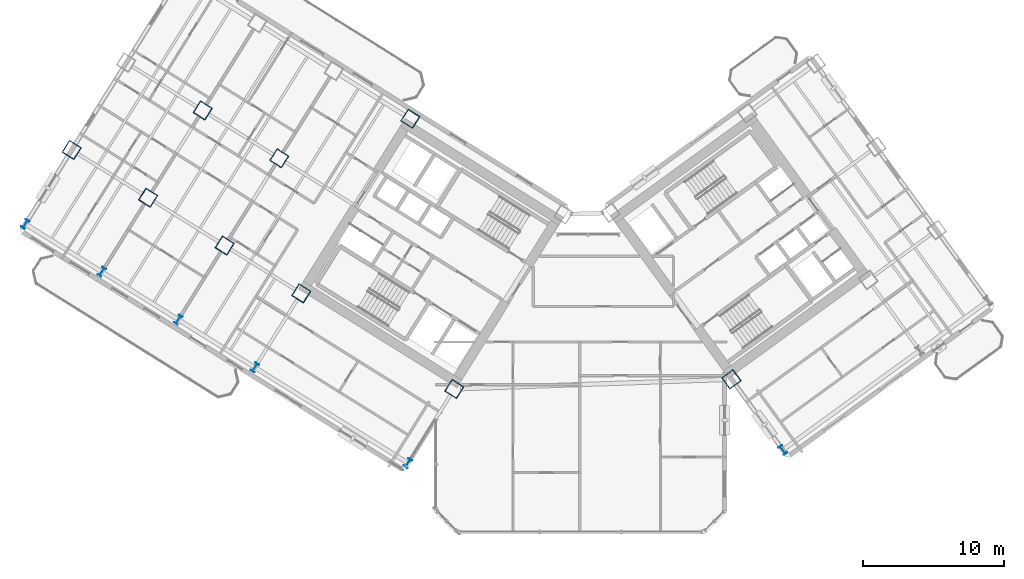
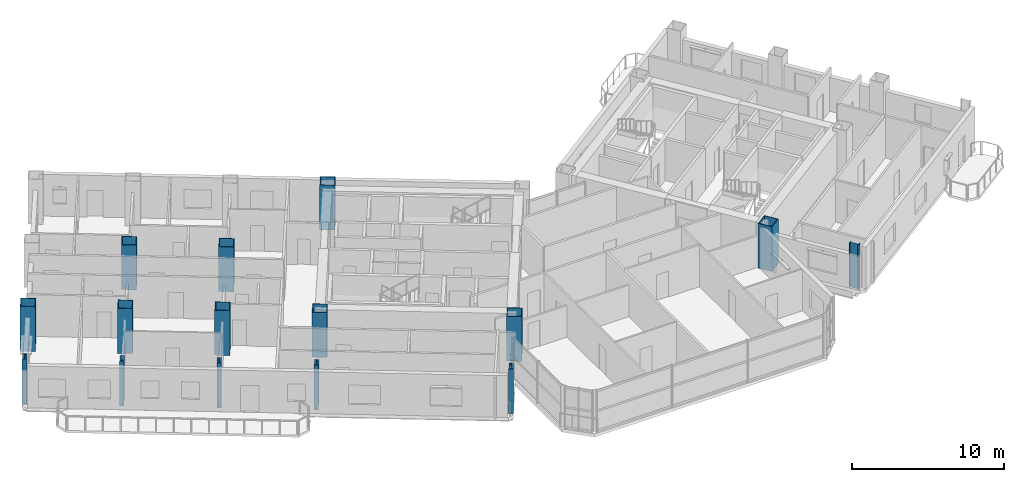
# One storey, part 1 of 25: 15 columns.
"""IFC4 building model written with IfcOpenShell, lengths in metres."""

from ifc_helpers import new_model, si_unit, direction, frame, origin, origin_2d, place, context, subcontext, project, spatial, hollow_rectangle, i_section, extrude, source, transform, mapped, material, material_profile, profile_set, type_object, element, save


model = new_model("IFC4")

# Units and contexts
model_context = context("Model", 3, precision=1e-05, world=origin(), true_north=direction((0.0, 1.0)))
body_context = subcontext(model_context, "Body", "Model", "MODEL_VIEW")
ifc_project = project(units=[si_unit("LENGTHUNIT", "METRE"), si_unit("AREAUNIT", "SQUARE_METRE"), si_unit("VOLUMEUNIT", "CUBIC_METRE"), si_unit("PLANEANGLEUNIT", "RADIAN"), si_unit("MASSUNIT", "GRAM", prefix="KILO")], contexts=[model_context])

# Site, building, storey
site_placement = place(None, origin())
site = spatial("IfcSite", under=ifc_project, at=site_placement, CompositionType="ELEMENT")
building_placement = place(site_placement, origin())
building = spatial("IfcBuilding", under=site, at=building_placement, Name="Tlacorven Tower", CompositionType="ELEMENT")
storey_placement = place(building_placement, frame((0.0, 0.0, 52.800048828125)))
storey = spatial("IfcBuildingStorey", under=building, at=storey_placement, Name="L13", CompositionType="ELEMENT", Elevation=52.800048828125)

# Columns
ifc_material = material(Name="Steel S460M", Category="steel")
ifc_material_profile_1 = material_profile(ifc_material, hollow_rectangle(XDim=1.0, YDim=1.0, WallThickness=0.0400390625, at=origin_2d()), Name="BOX 1000X1000X40")
ifc_profile_set_1 = profile_set([ifc_material_profile_1], Name="Steel S460M")
column_type_1 = type_object("IfcColumnType", Name="COL-TWR-S1", PredefinedType="COLUMN", material=ifc_profile_set_1)
shared_shape_1 = source(origin(), body_context, "Body", "SweptSolid", [
    extrude(hollow_rectangle(XDim=1.0, YDim=1.0, WallThickness=0.0400390625, at=origin_2d()), origin(), (0.0, 0.0, 1.0), 3.599853515625),
])
for number, where, z_axis, x_axis, name in (
    (1, (33.046142578125, 12.0869140625, 0.0), (0.0, 0.0, 1.0), (-0.848048096156, 0.529919264233, 0.0), "L13 column COL-L13-W1-3"),
    (2, (29.927978515625, 31.25146484375, 0.0), (0.0, 0.0, 1.0), (-0.848048096156, 0.529919264233, 0.0), "L13 column COL-L13-W3-1"),
    (3, (22.191162109375, 18.869873046875, 0.0), (0.0, 0.0, 1.0), (-0.848048096156, 0.529919264233, 0.0), "L13 column COL-L13-W3-3"),
    (4, (20.632080078125, 28.4521484375, 0.0), (0.0, 0.0, 1.0), (-0.848048096156, 0.529919264233, 0.0), "L13 column COL-L13-W4-2"),
    (5, (16.763671875, 22.26123046875, 0.0), (0.0, 0.0, 1.0), (-0.848048096156, 0.529919264233, 0.0), "L13 column COL-L13-W4-3"),
    (6, (15.20458984375, 31.843505859375, 0.0), (0.0, 0.0, 1.0), (-0.848048096156, 0.529919264233, 0.0), "L13 column COL-L13-W5-2"),
    (7, (11.336181640625, 25.65283203125, 0.0), (0.0, 0.0, 1.0), (-0.848048096156, 0.529919264233, 0.0), "L13 column COL-L13-W5-3"),
    (8, (5.90869140625, 29.044189453125, 0.0), (0.0, 0.0, 1.0), (-0.848048096156, 0.529919264233, 0.0), "L13 column COL-L13-W6-3"),
    (9, (52.705322265625, 12.7734375, 0.0), (0.0, 0.0, 1.0), (0.809016994375, 0.587785252292, 0.0), "L13 column COL-L13-E1-2"),
):
    element("IfcColumn", number, at=place(storey_placement, frame(where, z_axis=z_axis, x_axis=x_axis)), inside=storey, type_object=column_type_1, Name=name, PredefinedType="COLUMN", context=body_context, shape_type="MappedRepresentation", body=[
        mapped(shared_shape_1, transform((0.0, 0.0, 0.0), scale=1.0)),
    ])
ifc_material_profile_2 = material_profile(ifc_material, i_section(OverallWidth=0.300048828125, OverallDepth=0.64990234375, WebThickness=0.01611328125, FlangeThickness=0.031005859375, at=origin_2d()), Name="HEB 650")
ifc_profile_set_2 = profile_set([ifc_material_profile_2], Name="Steel S460M")
column_type_2 = type_object("IfcColumnType", Name="COL-TWR-P1", PredefinedType="COLUMN", material=ifc_profile_set_2)
shared_shape_2 = source(origin(), body_context, "Body", "SweptSolid", [
    extrude(i_section(OverallWidth=0.300048828125, OverallDepth=0.64990234375, WebThickness=0.01611328125, FlangeThickness=0.031005859375, at=origin_2d()), origin(), (0.0, 0.0, 1.0), 3.599853515625),
])
for number, where, z_axis, x_axis, name in (
    (10, (29.7607421875, 6.8291015625, 0.0), (0.0, 0.0, 1.0), (-0.848048096156, 0.529919264233, 0.0), "L13 column COL-L13-W1-4"),
    (11, (18.905517578125, 13.612060546875, 0.0), (0.0, 0.0, 1.0), (-0.848048096156, 0.529919264233, 0.0), "L13 column COL-L13-W3-4"),
    (12, (13.47802734375, 17.00341796875, 0.0), (0.0, 0.0, 1.0), (-0.848048096156, 0.529919264233, 0.0), "L13 column COL-L13-W4-4"),
    (13, (8.050537109375, 20.39501953125, 0.0), (0.0, 0.0, 1.0), (-0.848048096156, 0.529919264233, 0.0), "L13 column COL-L13-W5-4"),
    (14, (2.623046875, 23.786376953125, 0.0), (0.0, 0.0, 1.0), (-0.848048096156, 0.529919264233, 0.0), "L13 column COL-L13-W6-4"),
    (15, (56.349609375, 7.757568359375, 0.0), (0.0, 0.0, 1.0), (0.809016994375, 0.587785252292, 0.0), "L13 column COL-L13-E1-1"),
):
    element("IfcColumn", number, at=place(storey_placement, frame(where, z_axis=z_axis, x_axis=x_axis)), inside=storey, type_object=column_type_2, Name=name, PredefinedType="COLUMN", context=body_context, shape_type="MappedRepresentation", body=[
        mapped(shared_shape_2, transform((0.0, 0.0, 0.0), scale=1.0)),
    ])

save(model, "model.ifc")
